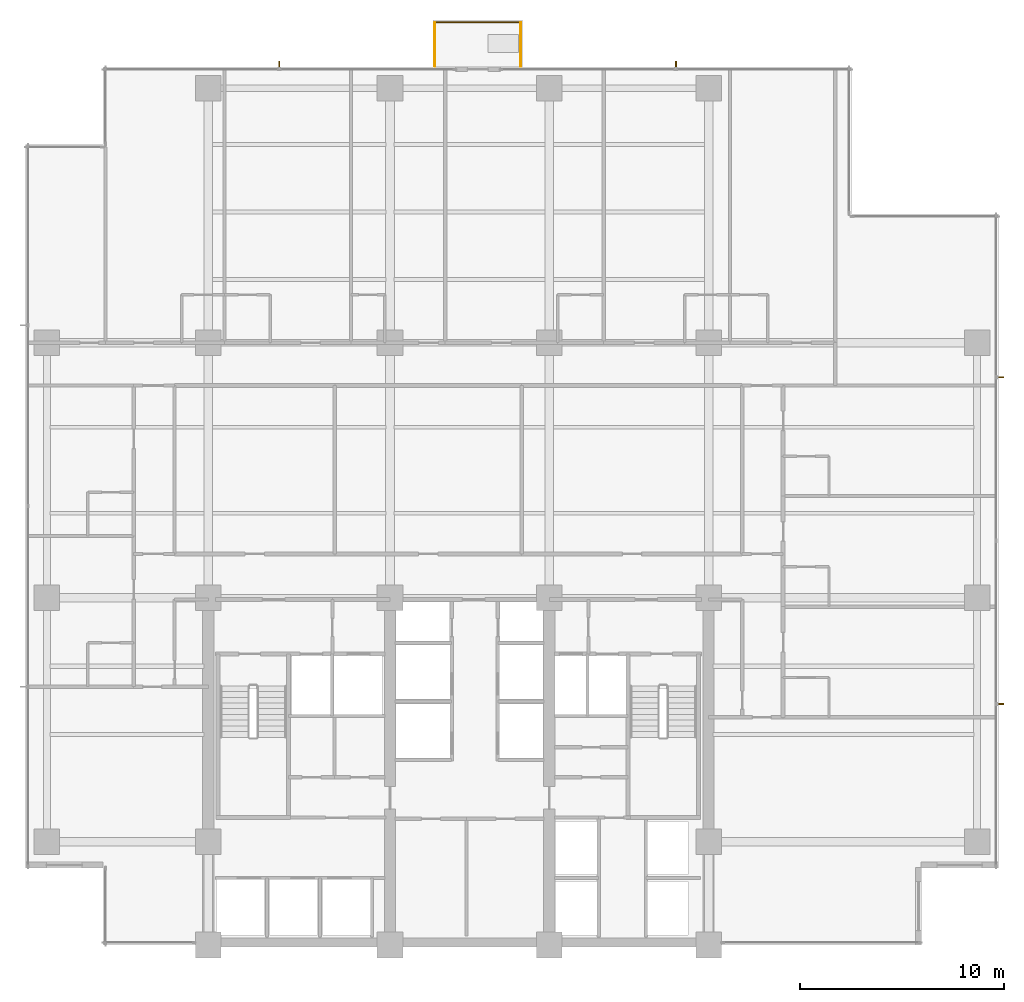
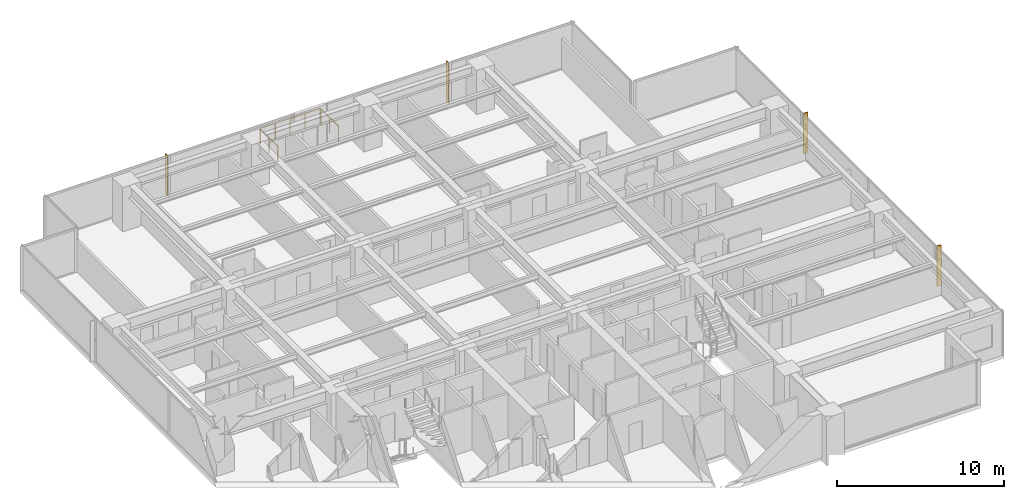
# One storey, part 17 of 17: 4 shading devices, 3 railings.
"""IFC4 building model written with IfcOpenShell, lengths in metres."""

from ifc_helpers import new_model, si_unit, direction, frame, origin, origin_2d, place, context, subcontext, project, spatial, polyline, circle, outline, extrude, material, layer, layer_set, type_object, element, save


model = new_model("IFC4")

# Units and contexts
model_context = context("Model", 3, precision=1e-05, world=origin(), true_north=direction((0.0, 1.0)))
body_context = subcontext(model_context, "Body", "Model", "MODEL_VIEW")
ifc_project = project(units=[si_unit("LENGTHUNIT", "METRE"), si_unit("AREAUNIT", "SQUARE_METRE"), si_unit("VOLUMEUNIT", "CUBIC_METRE"), si_unit("PLANEANGLEUNIT", "RADIAN"), si_unit("MASSUNIT", "GRAM", prefix="KILO")], contexts=[model_context])

# Site, building, storey
site_placement = place(None, origin())
site = spatial("IfcSite", under=ifc_project, at=site_placement, CompositionType="ELEMENT")
building_placement = place(site_placement, origin())
building = spatial("IfcBuilding", under=site, at=building_placement, Name="Qalmaran Belvedere Hotel", CompositionType="ELEMENT")
storey_placement = place(building_placement, frame((0.0, 0.0, 109.199951171875)))
storey = spatial("IfcBuildingStorey", under=building, at=storey_placement, Name="L27", CompositionType="ELEMENT", Elevation=109.199951171875)

# Shading devices
ifc_material = material(Name="Anodised Bronze Aluminium", Category="aluminium")
ifc_layer = layer(ifc_material, 0.06494140625, Name="Anodised Bronze Aluminium")
ifc_layer_set = layer_set([ifc_layer], Name="Anodised Bronze Aluminium")
shading_device_type = type_object("IfcShadingDeviceType", Name="FIN-BRNZ-300", PredefinedType="USERDEFINED", material=ifc_layer_set)
shading_device_1_placement = place(storey_placement, frame((0.0, 0.0, 0.16015625)))
element("IfcShadingDevice", 1, at=shading_device_1_placement, inside=storey, type_object=shading_device_type, Name="L27 Bronze Fin 1", ObjectType="FIN", PredefinedType="USERDEFINED", context=body_context, shape_type="SweptSolid", body=[
    extrude(outline(polyline([(58.969970703125, 15.267578125), (59.27001953125, 15.267578125), (59.27001953125, 15.33251953125), (58.969970703125, 15.33251953125), (58.969970703125, 15.267578125)])), origin(), (0.0, 0.0, 1.0), 2.9599609375),
])
shading_device_2_placement = place(storey_placement, frame((0.0, 0.0, 0.16015625)))
element("IfcShadingDevice", 2, at=shading_device_2_placement, inside=storey, type_object=shading_device_type, Name="L27 Bronze Fin 3", ObjectType="FIN", PredefinedType="USERDEFINED", context=body_context, shape_type="SweptSolid", body=[
    extrude(outline(polyline([(58.969970703125, 31.267578125), (59.27001953125, 31.267578125), (59.27001953125, 31.33251953125), (58.969970703125, 31.33251953125), (58.969970703125, 31.267578125)])), origin(), (0.0, 0.0, 1.0), 2.9599609375),
])
shading_device_3_placement = place(storey_placement, frame((0.0, 0.0, 0.16015625)))
element("IfcShadingDevice", 3, at=shading_device_3_placement, inside=storey, type_object=shading_device_type, Name="L27 Bronze Fin 1", ObjectType="FIN", PredefinedType="USERDEFINED", context=body_context, shape_type="SweptSolid", body=[
    extrude(outline(polyline([(23.8076171875, 46.469970703125), (23.8076171875, 46.77001953125), (23.742431640625, 46.77001953125), (23.742431640625, 46.469970703125), (23.8076171875, 46.469970703125)])), origin(), (0.0, 0.0, 1.0), 2.9599609375),
])
shading_device_4_placement = place(storey_placement, frame((0.0, 0.0, 0.16015625)))
element("IfcShadingDevice", 4, at=shading_device_4_placement, inside=storey, type_object=shading_device_type, Name="L27 Bronze Fin 1", ObjectType="FIN", PredefinedType="USERDEFINED", context=body_context, shape_type="SweptSolid", body=[
    extrude(outline(polyline([(43.232421875, 46.469970703125), (43.232421875, 46.77001953125), (43.16748046875, 46.77001953125), (43.16748046875, 46.469970703125), (43.232421875, 46.469970703125)])), origin(), (0.0, 0.0, 1.0), 2.9599609375),
])

# Railings
railing_type = type_object("IfcRailingType", Name="GRD-BAL-1150", PredefinedType="BALUSTRADE", material=ifc_material)
railing_1_placement = place(storey_placement, frame((31.39990234375, 46.534912109375, 0.0)))
element("IfcRailing", 5, at=railing_1_placement, inside=storey, type_object=railing_type, Name="L27 Guardrail BAL-L27-N-1", PredefinedType="BALUSTRADE", context=body_context, shape_type="SweptSolid", body=[
    extrude(circle(Radius=0.02392578125, at=origin_2d()), frame((0.0, 0.0, 1.1259765625), z_axis=(0.0, 1.0, 0.0), x_axis=(-1.0, 0.0, 0.0)), (0.0, 0.0, 1.0), 2.130126953125),
    extrude(circle(Radius=0.02099609375, at=origin_2d()), origin(), (0.0, 0.0, 1.0), 1.101806640625),
    extrude(circle(Radius=0.02099609375, at=origin_2d()), frame((0.0, 1.06494140625, 0.0)), (0.0, 0.0, 1.0), 1.101806640625),
    extrude(circle(Radius=0.02099609375, at=origin_2d()), frame((0.0, 2.130126953125, 0.0)), (0.0, 0.0, 1.0), 1.101806640625),
])
railing_2_placement = place(storey_placement, frame((31.43505859375, 48.699951171875, 0.0)))
element("IfcRailing", 6, at=railing_2_placement, inside=storey, type_object=railing_type, Name="L27 Guardrail BAL-L27-N-2", PredefinedType="BALUSTRADE", context=body_context, shape_type="SweptSolid", body=[
    extrude(circle(Radius=0.02392578125, at=origin_2d()), frame((0.0, 0.0, 1.1259765625), z_axis=(1.0, 0.0, 0.0), x_axis=(0.0, 1.0, 0.0)), (0.0, 0.0, 1.0), 4.1298828125),
    extrude(circle(Radius=0.02099609375, at=origin_2d()), origin(), (0.0, 0.0, 1.0), 1.101806640625),
    extrude(circle(Radius=0.02099609375, at=origin_2d()), frame((1.032470703125, 0.0, 0.0)), (0.0, 0.0, 1.0), 1.101806640625),
    extrude(circle(Radius=0.02099609375, at=origin_2d()), frame((2.06494140625, 0.0, 0.0)), (0.0, 0.0, 1.0), 1.101806640625),
    extrude(circle(Radius=0.02099609375, at=origin_2d()), frame((3.097412109375, 0.0, 0.0)), (0.0, 0.0, 1.0), 1.101806640625),
    extrude(circle(Radius=0.02099609375, at=origin_2d()), frame((4.1298828125, 0.0, 0.0)), (0.0, 0.0, 1.0), 1.101806640625),
])
railing_3_placement = place(storey_placement, frame((35.60009765625, 48.6650390625, 0.0)))
element("IfcRailing", 7, at=railing_3_placement, inside=storey, type_object=railing_type, Name="L27 Guardrail BAL-L27-N-3", PredefinedType="BALUSTRADE", context=body_context, shape_type="SweptSolid", body=[
    extrude(circle(Radius=0.02392578125, at=origin_2d()), frame((0.0, 0.0, 1.1259765625), z_axis=(0.0, -1.0, 0.0), x_axis=(1.0, 0.0, 0.0)), (0.0, 0.0, 1.0), 2.130126953125),
    extrude(circle(Radius=0.02099609375, at=origin_2d()), origin(), (0.0, 0.0, 1.0), 1.101806640625),
    extrude(circle(Radius=0.02099609375, at=origin_2d()), frame((0.0, -1.06494140625, 0.0)), (0.0, 0.0, 1.0), 1.101806640625),
    extrude(circle(Radius=0.02099609375, at=origin_2d()), frame((0.0, -2.130126953125, 0.0)), (0.0, 0.0, 1.0), 1.101806640625),
])

save(model, "model.ifc")
